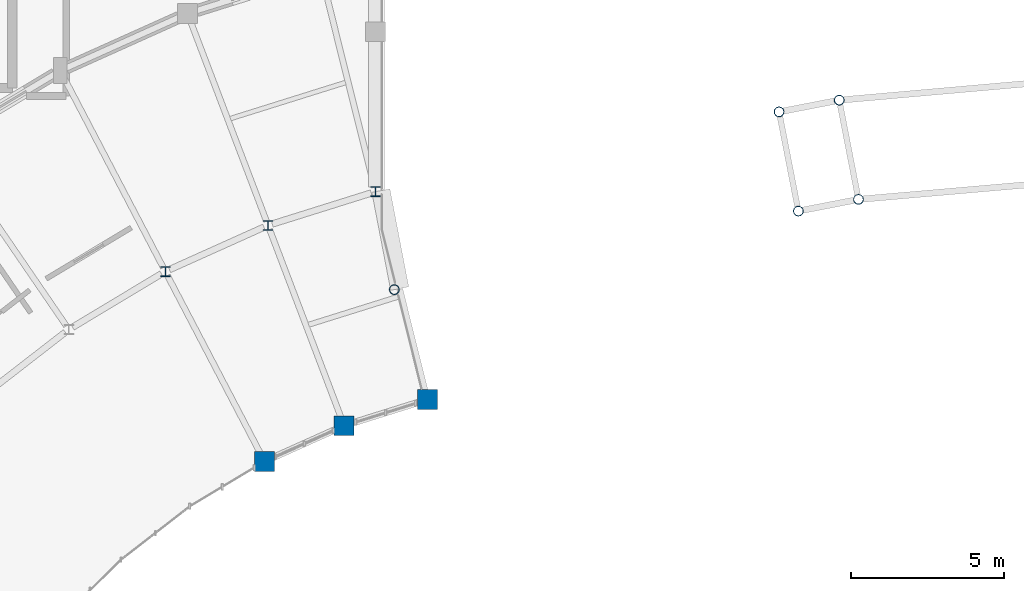
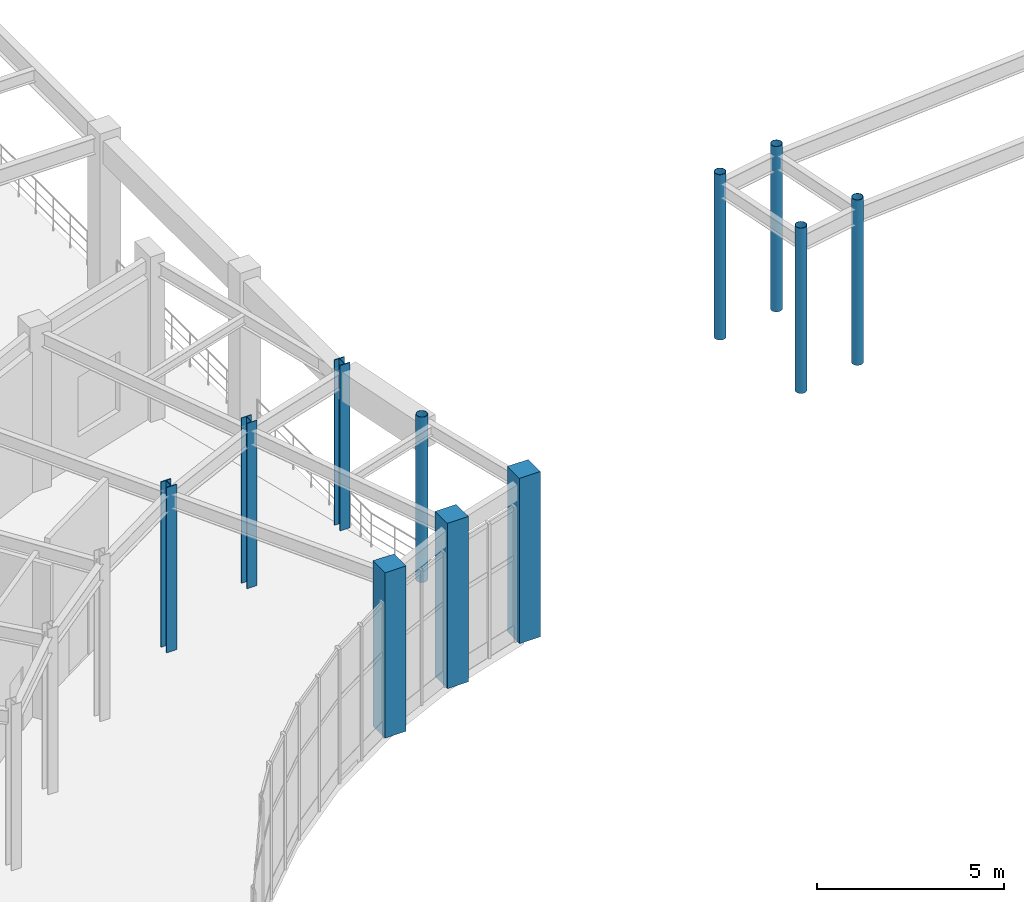
# One storey, part 10 of 93: 11 columns.
"""IFC4 building model written with IfcOpenShell, lengths in metres."""

from ifc_helpers import new_model, si_unit, direction, frame, origin, origin_2d, place, context, subcontext, project, spatial, rectangle, hollow_circle, i_section, extrude, material, material_profile, profile_set, type_object, element, save


model = new_model("IFC4")

# Units and contexts
model_context = context("Model", 3, precision=1e-05, world=origin(), true_north=direction((0.0, 1.0)))
body_context = subcontext(model_context, "Body", "Model", "MODEL_VIEW")
ifc_project = project(units=[si_unit("LENGTHUNIT", "METRE"), si_unit("AREAUNIT", "SQUARE_METRE"), si_unit("VOLUMEUNIT", "CUBIC_METRE"), si_unit("PLANEANGLEUNIT", "RADIAN"), si_unit("MASSUNIT", "GRAM", prefix="KILO")], contexts=[model_context])

# Site, building, storey
site_placement = place(None, origin())
site = spatial("IfcSite", under=ifc_project, at=site_placement, CompositionType="ELEMENT")
building_placement = place(site_placement, origin())
building = spatial("IfcBuilding", under=site, at=building_placement, Name="Cinderbank Siding Concert Hall", CompositionType="ELEMENT")
storey_placement = place(building_placement, origin())
storey = spatial("IfcBuildingStorey", under=building, at=storey_placement, Name="L01", CompositionType="ELEMENT", Elevation=0.0)

# Columns
ifc_material_1 = material(Name="Structural steel hollow section AS/NZS 1163 Grade C350L0 (350 MPa)", Category="steel")
ifc_material_profile_1 = material_profile(ifc_material_1, hollow_circle(Radius=0.161865234375, WallThickness=0.0126953125, at=origin_2d()), Name="323.9x12.7CHS", Category="LoadBearing")
ifc_profile_set_1 = profile_set([ifc_material_profile_1], Name="Structural steel hollow section AS/NZS 1163 Grade C350L0 (350 MPa)")
column_type_1 = type_object("IfcColumnType", Name="C-CHS323 323.9x12.7CHS", PredefinedType="COLUMN", material=ifc_profile_set_1)
for number, where, z_axis, x_axis, name in (
    (1, (49.114990234375, 94.8798828125, 0.0), (0.0, 0.0, 1.0), (1.0, 0.0, 0.0), "L01 Column COL-BRR-00"),
    (2, (61.677978515625, 100.68408203125, 0.0), (0.0, 0.0, 1.0), (1.0, 0.0, 0.0), "L01 Column COL-BRL-01"),
    (3, (62.30810546875, 97.445068359375, 0.0), (0.0, 0.0, 1.0), (1.0, 0.0, 0.0), "L01 Column COL-BRR-01"),
    (4, (63.64208984375, 101.06591796875, 0.0), (0.0, 0.0, 1.0), (1.0, 0.0, 0.0), "L01 Column COL-BRL-02"),
    (5, (64.27099609375, 97.825927734375, 0.0), (0.0, 0.0, 1.0), (1.0, 0.0, 0.0), "L01 Column COL-BRR-02"),
):
    element("IfcColumn", number, at=place(storey_placement, frame(where, z_axis=z_axis, x_axis=x_axis)), inside=storey, type_object=column_type_1, Name=name, PredefinedType="COLUMN", context=body_context, shape_type="SweptSolid", body=[
        extrude(hollow_circle(Radius=0.161865234375, WallThickness=0.0126953125, at=origin_2d()), origin(), (0.0, 0.0, 1.0), 5.39990234375),
    ])
ifc_material_2 = material(Name="Reinforced concrete AS 3600 N50 (50 MPa)", Category="concrete")
ifc_material_profile_2 = material_profile(ifc_material_2, rectangle(XDim=0.64990234375, YDim=0.64990234375, at=origin_2d()), Name="RC-COL-650x650", Category="LoadBearing")
ifc_profile_set_2 = profile_set([ifc_material_profile_2], Name="Reinforced concrete AS 3600 N50 (50 MPa)")
column_type_2 = type_object("IfcColumnType", Name="C-RC650 RC-COL-650x650", PredefinedType="COLUMN", material=ifc_profile_set_2)
for number, where, z_axis, x_axis, name in (
    (6, (50.194091796875, 91.287109375, 0.0), (0.0, 0.0, 1.0), (1.0, 0.0, 0.0), "L01 Column COL-WIN-01"),
    (7, (47.47705078125, 90.43603515625, 0.0), (0.0, 0.0, 1.0), (1.0, 0.0, 0.0), "L01 Column COL-WIN-02"),
    (8, (44.881103515625, 89.26904296875, 0.0), (0.0, 0.0, 1.0), (1.0, 0.0, 0.0), "L01 Column COL-WIN-03"),
):
    element("IfcColumn", number, at=place(storey_placement, frame(where, z_axis=z_axis, x_axis=x_axis)), inside=storey, type_object=column_type_2, Name=name, PredefinedType="COLUMN", context=body_context, shape_type="SweptSolid", body=[
        extrude(rectangle(XDim=0.64990234375, YDim=0.64990234375, at=origin_2d()), origin(), (0.0, 0.0, 1.0), 5.39990234375),
    ])
ifc_material_3 = material(Name="Structural steel AS/NZS 3679.1 Grade 350 (340 MPa)", Category="steel")
ifc_material_profile_3 = material_profile(ifc_material_3, i_section(OverallWidth=0.306884765625, OverallDepth=0.314697265625, WebThickness=0.011962890625, FlangeThickness=0.018798828125, at=origin_2d()), Name="310UC118", Category="LoadBearing")
ifc_profile_set_3 = profile_set([ifc_material_profile_3], Name="Structural steel AS/NZS 3679.1 Grade 350 (340 MPa)")
column_type_3 = type_object("IfcColumnType", Name="C-UC310 310UC118", PredefinedType="COLUMN", material=ifc_profile_set_3)
column_placement = place(storey_placement, frame((44.991943359375, 96.97998046875, 0.0), z_axis=(0.0, 0.0, 1.0), x_axis=(1.0, 0.0, 0.0)))
element("IfcColumn", 9, at=column_placement, inside=storey, type_object=column_type_3, Name="L01 Column COL-WMID-02", PredefinedType="COLUMN", context=body_context, shape_type="SweptSolid", body=[
    extrude(i_section(OverallWidth=0.306884765625, OverallDepth=0.314697265625, WebThickness=0.011962890625, FlangeThickness=0.018798828125, at=origin_2d()), origin(), (0.0, 0.0, 1.0), 5.39990234375),
])
ifc_material_profile_4 = material_profile(ifc_material_3, i_section(OverallWidth=0.31103515625, OverallDepth=0.3271484375, WebThickness=0.015625, FlangeThickness=0.02490234375, at=origin_2d()), Name="310UC158", Category="LoadBearing")
ifc_profile_set_4 = profile_set([ifc_material_profile_4], Name="Structural steel AS/NZS 3679.1 Grade 350 (340 MPa)")
column_type_4 = type_object("IfcColumnType", Name="C-UC310H 310UC158", PredefinedType="COLUMN", material=ifc_profile_set_4)
for number, where, z_axis, x_axis, name in (
    (10, (48.5, 98.0791015625, 0.0), (0.0, 0.0, 1.0), (1.0, 0.0, 0.0), "L01 Column COL-WMID-01"),
    (11, (41.637939453125, 95.471923828125, 0.0), (0.0, 0.0, 1.0), (1.0, 0.0, 0.0), "L01 Column COL-WMID-03"),
):
    element("IfcColumn", number, at=place(storey_placement, frame(where, z_axis=z_axis, x_axis=x_axis)), inside=storey, type_object=column_type_4, Name=name, PredefinedType="COLUMN", context=body_context, shape_type="SweptSolid", body=[
        extrude(i_section(OverallWidth=0.31103515625, OverallDepth=0.3271484375, WebThickness=0.015625, FlangeThickness=0.02490234375, at=origin_2d()), origin(), (0.0, 0.0, 1.0), 5.39990234375),
    ])

save(model, "model.ifc")
